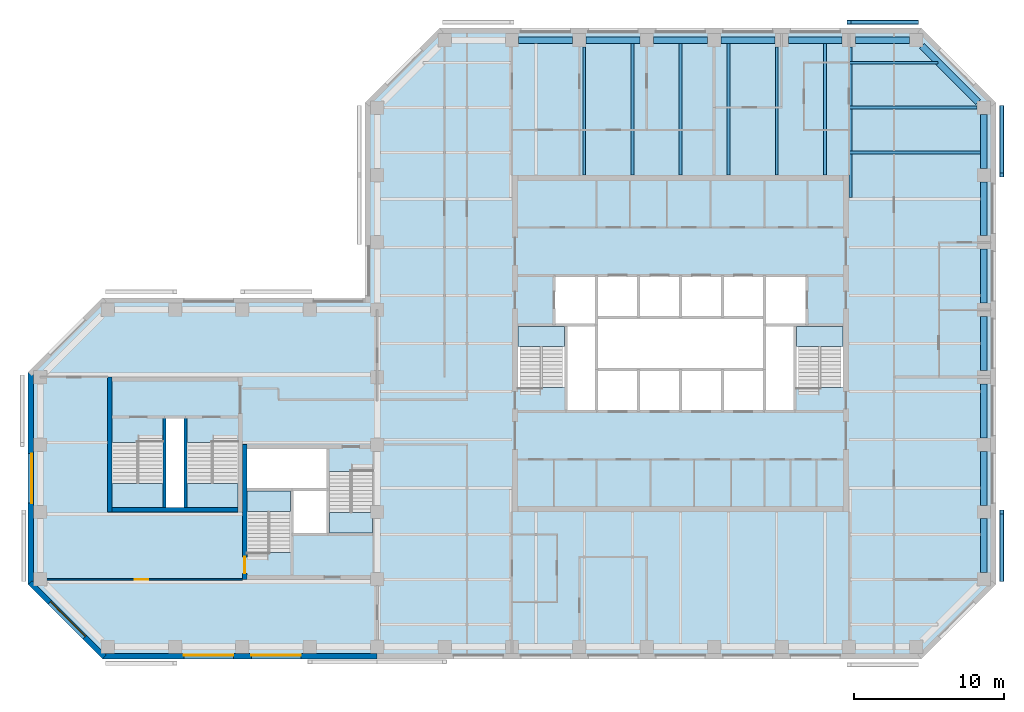
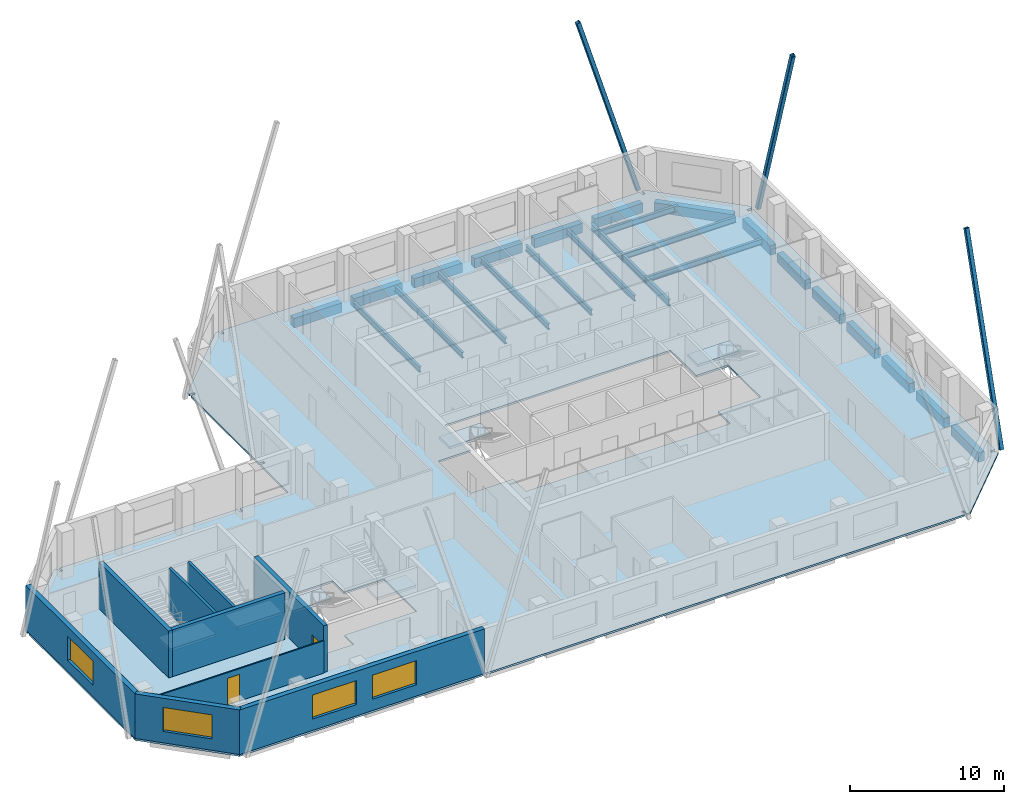
# One storey, part 2 of 9: 24 beams, 9 walls, 7 slabs, 4 windows, 3 members, 2 doors, 6 openings, 6 elements without a shape of their own.
"""IFC4 building model written with IfcOpenShell, lengths in metres."""

from ifc_helpers import new_model, si_unit, direction, frame, frame_2d, origin, origin_2d, place, context, subcontext, project, spatial, polyline, rectangle, hollow_rectangle, i_section, outline, extrude, material, layer, layer_set, constituent, constituent_set, material_profile, profile_set, type_object, element, fill, aggregate, save


model = new_model("IFC4")

# Units and contexts
model_context = context("Model", 3, precision=1e-05, world=origin(), true_north=direction((0.0, 1.0)))
body_context = subcontext(model_context, "Body", "Model", "MODEL_VIEW")
ifc_project = project(units=[si_unit("LENGTHUNIT", "METRE"), si_unit("AREAUNIT", "SQUARE_METRE"), si_unit("VOLUMEUNIT", "CUBIC_METRE"), si_unit("PLANEANGLEUNIT", "RADIAN"), si_unit("MASSUNIT", "GRAM", prefix="KILO")], contexts=[model_context])

# Site, building, storey
site_placement = place(None, origin())
site = spatial("IfcSite", under=ifc_project, at=site_placement, CompositionType="ELEMENT")
building_placement = place(site_placement, origin())
building = spatial("IfcBuilding", under=site, at=building_placement, Name="Quoin Convention Tower", CompositionType="ELEMENT")
storey_placement = place(building_placement, frame((0.0, 0.0, 158.800048828125)))
storey = spatial("IfcBuildingStorey", under=building, at=storey_placement, Name="L41", CompositionType="ELEMENT", Elevation=158.800048828125)

# Beams
ifc_material_1 = material(Name="Steel Grade 300", Category="steel")
ifc_material_profile_1 = material_profile(ifc_material_1, i_section(OverallWidth=0.18994140625, OverallDepth=0.4541015625, WebThickness=0.008544921875, FlangeThickness=0.0126953125, FilletRadius=0.011474609375, at=origin_2d()), Name="460UB67.1")
ifc_profile_set_1 = profile_set([ifc_material_profile_1], Name="Steel Grade 300")
beam_type_1 = type_object("IfcBeamType", Name="460UB67.1", PredefinedType="BEAM", material=ifc_profile_set_1)
beam_1_placement = place(storey_placement, frame((49.8212890625, 72.0, -0.376953125), z_axis=(0.0, 1.0, 0.0), x_axis=(-1.0, 0.0, 0.0)))
element("IfcBeam", 1, at=beam_1_placement, inside=storey, type_object=beam_type_1, Name="bm-L41-T1N1", PredefinedType="BEAM", context=body_context, shape_type="SweptSolid", body=[
    extrude(i_section(OverallWidth=0.18994140625, OverallDepth=0.4541015625, WebThickness=0.008544921875, FlangeThickness=0.0126953125, FilletRadius=0.011474609375, at=origin_2d()), origin(), (0.0, 0.0, 1.0), 8.550048828125),
])
for number, where, z_axis, x_axis, name in (
    (2, (53.03564453125, 72.0, -0.376953125), (0.0, 1.0, 0.0), (-1.0, 0.0, 0.0), "bm-L41-T1N2"),
    (3, (56.25, 72.0, -0.376953125), (0.0, 1.0, 0.0), (-1.0, 0.0, 0.0), "bm-L41-T1N3"),
    (4, (59.46435546875, 72.0, -0.376953125), (0.0, 1.0, 0.0), (-1.0, 0.0, 0.0), "bm-L41-T1N4"),
):
    element("IfcBeam", number, at=place(storey_placement, frame(where, z_axis=z_axis, x_axis=x_axis)), inside=storey, type_object=beam_type_1, Name=name, PredefinedType="BEAM", context=body_context, shape_type="SweptSolid", body=[
        extrude(i_section(OverallWidth=0.18994140625, OverallDepth=0.4541015625, WebThickness=0.008544921875, FlangeThickness=0.0126953125, FilletRadius=0.011474609375, at=origin_2d()), origin(), (0.0, 0.0, 1.0), 8.77490234375),
    ])
beam_2_placement = place(storey_placement, frame((62.6787109375, 72.0, -0.376953125), z_axis=(0.0, 1.0, 0.0), x_axis=(-1.0, 0.0, 0.0)))
element("IfcBeam", 5, at=beam_2_placement, inside=storey, type_object=beam_type_1, Name="bm-L41-T1N5", PredefinedType="BEAM", context=body_context, shape_type="SweptSolid", body=[
    extrude(i_section(OverallWidth=0.18994140625, OverallDepth=0.4541015625, WebThickness=0.008544921875, FlangeThickness=0.0126953125, FilletRadius=0.011474609375, at=origin_2d()), origin(), (0.0, 0.0, 1.0), 8.550048828125),
])
beam_3_placement = place(storey_placement, frame((65.892822265625, 72.0, -0.376953125), z_axis=(0.0, 1.0, 0.0), x_axis=(-1.0, 0.0, 0.0)))
element("IfcBeam", 6, at=beam_3_placement, inside=storey, type_object=beam_type_1, Name="bm-L41-T1N6", PredefinedType="BEAM", context=body_context, shape_type="SweptSolid", body=[
    extrude(i_section(OverallWidth=0.18994140625, OverallDepth=0.4541015625, WebThickness=0.008544921875, FlangeThickness=0.0126953125, FilletRadius=0.011474609375, at=origin_2d()), origin(), (0.0, 0.0, 1.0), 8.77490234375),
])
beam_4_placement = place(storey_placement, frame((67.5, 79.5, -0.376953125), z_axis=(1.0, 0.0, 0.0), x_axis=(0.0, 1.0, 0.0)))
element("IfcBeam", 7, at=beam_4_placement, inside=storey, type_object=beam_type_1, Name="bm-L41-T1NE0", PredefinedType="BEAM", context=body_context, shape_type="SweptSolid", body=[
    extrude(i_section(OverallWidth=0.18994140625, OverallDepth=0.4541015625, WebThickness=0.008544921875, FlangeThickness=0.0126953125, FilletRadius=0.011474609375, at=origin_2d()), origin(), (0.0, 0.0, 1.0), 5.935791015625),
])
beam_5_placement = place(storey_placement, frame((67.5, 76.5, -0.376953125), z_axis=(1.0, 0.0, 0.0), x_axis=(0.0, 1.0, 0.0)))
element("IfcBeam", 8, at=beam_5_placement, inside=storey, type_object=beam_type_1, Name="bm-L41-T1NE1", PredefinedType="BEAM", context=body_context, shape_type="SweptSolid", body=[
    extrude(i_section(OverallWidth=0.18994140625, OverallDepth=0.4541015625, WebThickness=0.008544921875, FlangeThickness=0.0126953125, FilletRadius=0.011474609375, at=origin_2d()), origin(), (0.0, 0.0, 1.0), 8.550048828125),
])
beam_6_placement = place(storey_placement, frame((67.5, 73.5, -0.376953125), z_axis=(1.0, 0.0, 0.0), x_axis=(0.0, 1.0, 0.0)))
element("IfcBeam", 9, at=beam_6_placement, inside=storey, type_object=beam_type_1, Name="bm-L41-T1NE2", PredefinedType="BEAM", context=body_context, shape_type="SweptSolid", body=[
    extrude(i_section(OverallWidth=0.18994140625, OverallDepth=0.4541015625, WebThickness=0.008544921875, FlangeThickness=0.0126953125, FilletRadius=0.011474609375, at=origin_2d()), origin(), (0.0, 0.0, 1.0), 8.77490234375),
])
ifc_material_profile_2 = material_profile(ifc_material_1, i_section(OverallWidth=0.208984375, OverallDepth=0.528076171875, WebThickness=0.009521484375, FlangeThickness=0.01318359375, FilletRadius=0.013916015625, at=origin_2d()), Name="530UB82.0")
ifc_profile_set_2 = profile_set([ifc_material_profile_2], Name="Steel Grade 300")
beam_type_2 = type_object("IfcBeamType", Name="530UB82.0", PredefinedType="BEAM", material=ifc_profile_set_2)
beam_7_placement = place(storey_placement, frame((67.595458984375, 80.550048828125, -0.4140625), z_axis=(0.0, -1.0, 0.0), x_axis=(1.0, 0.0, 0.0)))
element("IfcBeam", 10, at=beam_7_placement, inside=storey, type_object=beam_type_2, Name="gir-L41-T1NE", PredefinedType="BEAM", context=body_context, shape_type="SweptSolid", body=[
    extrude(i_section(OverallWidth=0.208984375, OverallDepth=0.528076171875, WebThickness=0.009521484375, FlangeThickness=0.01318359375, FilletRadius=0.013916015625, at=origin_2d()), origin(), (0.0, 0.0, 1.0), 10.062255859375),
])

# Members
ifc_material_2 = material(Name="Steel C450L0", Category="steel")
ifc_material_profile_3 = material_profile(ifc_material_2, hollow_rectangle(XDim=0.300048828125, YDim=0.300048828125, WallThickness=0.012451171875, InnerFilletRadius=0.018798828125, OuterFilletRadius=0.03125, at=origin_2d()), Name="300x300x12.5SHS")
ifc_profile_set_3 = profile_set([ifc_material_profile_3], Name="Steel C450L0")
member_type = type_object("IfcMemberType", Name="Exposed brace 300x300x12.5SHS", PredefinedType="BRACE", material=ifc_profile_set_3)
for number, where, z_axis, x_axis, name in (
    (11, (72.0, 82.199951171875, -0.074951171875), (-0.290907879885, 0.0, 0.956751067635), (0.0, -1.0, 0.0), "brc-L41-72000_81000-67500_81000"),
    (12, (77.699951171875, 45.0, -0.074951171875), (0.0, 0.290907879885, 0.956751067635), (-1.0, 0.0, 0.0), "brc-L41-76500_45000-76500_49500"),
    (13, (77.699951171875, 76.5, -0.074951171875), (0.0, -0.290907879885, 0.956751067635), (1.0, 0.0, 0.0), "brc-L41-76500_72000-76500_76500"),
):
    element("IfcMember", number, at=place(storey_placement, frame(where, z_axis=z_axis, x_axis=x_axis)), inside=storey, type_object=member_type, Name=name, PredefinedType="BRACE", context=body_context, shape_type="SweptSolid", body=[
        extrude(hollow_rectangle(XDim=0.300048828125, YDim=0.300048828125, WallThickness=0.012451171875, InnerFilletRadius=0.018798828125, OuterFilletRadius=0.03125, at=origin_2d()), origin(), (0.0, 0.0, 1.0), 15.46875),
    ])

# Beams
ifc_material_3 = material(Name="Concrete C50", Category="concrete")
ifc_material_profile_4 = material_profile(ifc_material_3, rectangle(XDim=0.449951171875, YDim=0.75, at=origin_2d()), Name="RC 450x750")
ifc_profile_set_4 = profile_set([ifc_material_profile_4], Name="Concrete C50")
beam_type_3 = type_object("IfcBeamType", Name="RC 450x750 C50", PredefinedType="SPANDREL", material=ifc_profile_set_4)
for number, where, z_axis, x_axis, name in (
    (14, (76.5, 45.449951171875, -0.525146484375), (0.0, 1.0, 0.0), (-1.0, 0.0, 0.0), "spd-L41-76500_45000-76500_49500"),
    (15, (76.5, 49.949951171875, -0.525146484375), (0.0, 1.0, 0.0), (-1.0, 0.0, 0.0), "spd-L41-76500_49500-76500_54000"),
    (16, (76.5, 54.449951171875, -0.525146484375), (0.0, 1.0, 0.0), (-1.0, 0.0, 0.0), "spd-L41-76500_54000-76500_58500"),
    (17, (76.5, 58.949951171875, -0.525146484375), (0.0, 1.0, 0.0), (-1.0, 0.0, 0.0), "spd-L41-76500_58500-76500_63000"),
    (18, (76.5, 63.449951171875, -0.525146484375), (0.0, 1.0, 0.0), (-1.0, 0.0, 0.0), "spd-L41-76500_63000-76500_67500"),
    (19, (76.5, 67.949951171875, -0.525146484375), (0.0, 1.0, 0.0), (-1.0, 0.0, 0.0), "spd-L41-76500_67500-76500_72000"),
    (20, (76.5, 72.449951171875, -0.525146484375), (0.0, 1.0, 0.0), (-1.0, 0.0, 0.0), "spd-L41-76500_72000-76500_76500"),
):
    element("IfcBeam", number, at=place(storey_placement, frame(where, z_axis=z_axis, x_axis=x_axis)), inside=storey, type_object=beam_type_3, Name=name, PredefinedType="SPANDREL", context=body_context, shape_type="SweptSolid", body=[
        extrude(rectangle(XDim=0.449951171875, YDim=0.75, at=origin_2d()), origin(), (0.0, 0.0, 1.0), 3.60009765625),
    ])
beam_8_placement = place(storey_placement, frame((76.135009765625, 76.864990234375, -0.525146484375), z_axis=(-0.707106781187, 0.707106781187, 0.0), x_axis=(-0.707106781187, -0.707106781187, 0.0)))
element("IfcBeam", 21, at=beam_8_placement, inside=storey, type_object=beam_type_3, Name="spd-L41-76500_76500-72000_81000", PredefinedType="SPANDREL", context=body_context, shape_type="SweptSolid", body=[
    extrude(rectangle(XDim=0.449951171875, YDim=0.75, at=origin_2d()), origin(), (0.0, 0.0, 1.0), 5.33154296875),
])
for number, where, z_axis, x_axis, name in (
    (22, (71.550048828125, 81.0, -0.525146484375), (-1.0, 0.0, 0.0), (0.0, -1.0, 0.0), "spd-L41-72000_81000-67500_81000"),
    (23, (67.050048828125, 81.0, -0.525146484375), (-1.0, 0.0, 0.0), (0.0, -1.0, 0.0), "spd-L41-67500_81000-63000_81000"),
    (24, (62.550048828125, 81.0, -0.525146484375), (-1.0, 0.0, 0.0), (0.0, -1.0, 0.0), "spd-L41-63000_81000-58500_81000"),
    (25, (58.050048828125, 81.0, -0.525146484375), (-1.0, 0.0, 0.0), (0.0, -1.0, 0.0), "spd-L41-58500_81000-54000_81000"),
    (26, (53.550048828125, 81.0, -0.525146484375), (-1.0, 0.0, 0.0), (0.0, -1.0, 0.0), "spd-L41-54000_81000-49500_81000"),
    (27, (49.050048828125, 81.0, -0.525146484375), (-1.0, 0.0, 0.0), (0.0, -1.0, 0.0), "spd-L41-49500_81000-45000_81000"),
):
    element("IfcBeam", number, at=place(storey_placement, frame(where, z_axis=z_axis, x_axis=x_axis)), inside=storey, type_object=beam_type_3, Name=name, PredefinedType="SPANDREL", context=body_context, shape_type="SweptSolid", body=[
        extrude(rectangle(XDim=0.449951171875, YDim=0.75, at=origin_2d()), origin(), (0.0, 0.0, 1.0), 3.60009765625),
    ])

# Slab
ifc_material_4 = material(Name="Concrete C40", Category="concrete")
ifc_layer_1 = layer(ifc_material_4, 0.14990234375)
ifc_layer_set_1 = layer_set([ifc_layer_1], Name="Concrete C40")
slab_type_1 = type_object("IfcSlabType", Name="COMPOSITE SLAB 150 C40", PredefinedType="FLOOR", material=ifc_layer_set_1)
slab_1_placement = place(storey_placement, frame((0.0, 0.0, -0.150146484375)))
element("IfcSlab", 28, at=slab_1_placement, inside=storey, type_object=slab_type_1, Name="slb-L41", PredefinedType="FLOOR", context=body_context, shape_type="SweptSolid", body=[
    extrude(outline(polyline([(12.699951171875, 44.668701171875), (12.699951171875, 44.905029296875), (13.070068359375, 44.905029296875), (13.070068359375, 45.094970703125), (12.699951171875, 45.094970703125), (12.699951171875, 58.405029296875), (13.070068359375, 58.405029296875), (13.070068359375, 58.594970703125), (12.699951171875, 58.594970703125), (12.699951171875, 58.831298828125), (17.668701171875, 63.800048828125), (17.905029296875, 63.800048828125), (17.905029296875, 63.429931640625), (18.094970703125, 63.429931640625), (18.094970703125, 63.800048828125), (31.405029296875, 63.800048828125), (31.405029296875, 63.429931640625), (31.594970703125, 63.429931640625), (31.594970703125, 63.800048828125), (35.199951171875, 63.800048828125), (35.199951171875, 67.405029296875), (35.570068359375, 67.405029296875), (35.570068359375, 67.594970703125), (35.199951171875, 67.594970703125), (35.199951171875, 76.405029296875), (35.570068359375, 76.405029296875), (35.570068359375, 76.594970703125), (35.199951171875, 76.594970703125), (35.199951171875, 76.831298828125), (40.168701171875, 81.800048828125), (40.405029296875, 81.800048828125), (40.405029296875, 81.429931640625), (40.594970703125, 81.429931640625), (40.594970703125, 81.800048828125), (71.905029296875, 81.800048828125), (71.905029296875, 81.429931640625), (72.094970703125, 81.429931640625), (72.094970703125, 81.800048828125), (72.331298828125, 81.800048828125), (77.300048828125, 76.831298828125), (77.300048828125, 76.594970703125), (76.929931640625, 76.594970703125), (76.929931640625, 76.405029296875), (77.300048828125, 76.405029296875), (77.300048828125, 45.094970703125), (76.929931640625, 45.094970703125), (76.929931640625, 44.905029296875), (77.300048828125, 44.905029296875), (77.300048828125, 44.668701171875), (72.331298828125, 39.699951171875), (72.094970703125, 39.699951171875), (72.094970703125, 40.070068359375), (71.905029296875, 40.070068359375), (71.905029296875, 39.699951171875), (36.094970703125, 39.699951171875), (36.094970703125, 40.070068359375), (35.905029296875, 40.070068359375), (35.905029296875, 39.699951171875), (18.094970703125, 39.699951171875), (18.094970703125, 40.070068359375), (17.905029296875, 40.070068359375), (17.905029296875, 39.699951171875), (17.668701171875, 39.699951171875), (12.699951171875, 44.668701171875)]), holes=[polyline([(27.300048828125, 46.800537109375), (30.300048828125, 46.800537109375), (30.300048828125, 48.0), (32.699951171875, 48.0), (35.699951171875, 48.0), (35.699951171875, 52.199462890625), (32.699951171875, 52.199462890625), (32.699951171875, 53.699951171875), (27.300048828125, 53.699951171875), (27.300048828125, 51.0), (27.300048828125, 46.800537109375)]), polyline([(21.800048828125, 49.800048828125), (23.199951171875, 49.800048828125), (26.699951171875, 49.800048828125), (26.699951171875, 54.1494140625), (23.199951171875, 54.1494140625), (23.199951171875, 55.85009765625), (21.800048828125, 55.85009765625), (21.800048828125, 54.1494140625), (18.300048828125, 54.1494140625), (18.300048828125, 49.800048828125), (21.800048828125, 49.800048828125)]), polyline([(50.64990234375, 56.199951171875), (53.449951171875, 56.199951171875), (56.25, 56.199951171875), (59.050048828125, 56.199951171875), (61.85009765625, 56.199951171875), (63.89990234375, 56.199951171875), (63.89990234375, 57.800537109375), (67.10009765625, 57.800537109375), (67.10009765625, 62.0), (64.699951171875, 62.0), (64.699951171875, 65.300048828125), (61.85009765625, 65.300048828125), (59.050048828125, 65.300048828125), (56.25, 65.300048828125), (53.449951171875, 65.300048828125), (50.64990234375, 65.300048828125), (47.800048828125, 65.300048828125), (47.800048828125, 62.0), (45.39990234375, 62.0), (45.39990234375, 57.800537109375), (48.60009765625, 57.800537109375), (48.60009765625, 56.199951171875), (50.64990234375, 56.199951171875)])]), origin(), (0.0, 0.0, 1.0), 0.150146484375),
])

# Stair, slab
stair_type_1 = type_object("IfcStairType", Name="Exit stair two-flight 1350", PredefinedType="HALF_TURN_STAIR", material=ifc_material_4)
stair_1_placement = place(storey_placement, origin())
stair_1 = element("IfcStair", 29, at=stair_1_placement, inside=storey, type_object=stair_type_1, Name="SD1 L41", PredefinedType="HALF_TURN_STAIR")
ifc_layer_2 = layer(ifc_material_4, 0.199951171875)
ifc_layer_set_2 = layer_set([ifc_layer_2], Name="Concrete C40")
slab_type_2 = type_object("IfcSlabType", Name="Stair landing 200", PredefinedType="LANDING", material=ifc_layer_set_2)
slab_2_placement = place(storey_placement, frame((0.0, 0.0, 1.792236328125)))
slab_2 = element("IfcSlab", 30, at=slab_2_placement, type_object=slab_type_2, Name="ST1 landing 1", PredefinedType="LANDING", context=body_context, shape_type="SweptSolid", body=[
    extrude(outline(polyline([(45.39990234375, 60.550048828125), (48.5, 60.550048828125), (48.5, 61.89990234375), (45.39990234375, 61.89990234375), (45.39990234375, 60.550048828125)])), origin(), (0.0, 0.0, 1.0), 0.199951171875),
])
aggregate(stair_1, [slab_2])

stair_2_placement = place(storey_placement, origin())
stair_2 = element("IfcStair", 31, at=stair_2_placement, inside=storey, type_object=stair_type_1, Name="SD2 L41", PredefinedType="HALF_TURN_STAIR")
slab_3_placement = place(storey_placement, frame((0.0, 0.0, 1.792236328125)))
slab_3 = element("IfcSlab", 32, at=slab_3_placement, type_object=slab_type_2, Name="ST2 landing 1", PredefinedType="LANDING", context=body_context, shape_type="SweptSolid", body=[
    extrude(outline(polyline([(64.0, 60.550048828125), (67.10009765625, 60.550048828125), (67.10009765625, 61.89990234375), (64.0, 61.89990234375), (64.0, 60.550048828125)])), origin(), (0.0, 0.0, 1.0), 0.199951171875),
])
aggregate(stair_2, [slab_3])

stair_3_placement = place(storey_placement, origin())
stair_3 = element("IfcStair", 33, at=stair_3_placement, inside=storey, type_object=stair_type_1, Name="SD3 L41", PredefinedType="HALF_TURN_STAIR")
slab_4_placement = place(storey_placement, frame((0.0, 0.0, 1.792236328125)))
slab_4 = element("IfcSlab", 34, at=slab_4_placement, type_object=slab_type_2, Name="ST3 landing 1", PredefinedType="LANDING", context=body_context, shape_type="SweptSolid", body=[
    extrude(outline(polyline([(27.300048828125, 49.550048828125), (30.199951171875, 49.550048828125), (30.199951171875, 50.89990234375), (27.300048828125, 50.89990234375), (27.300048828125, 49.550048828125)])), origin(), (0.0, 0.0, 1.0), 0.199951171875),
])
aggregate(stair_3, [slab_4])

stair_4_placement = place(storey_placement, origin())
stair_4 = element("IfcStair", 35, at=stair_4_placement, inside=storey, type_object=stair_type_1, Name="SD4 L41", PredefinedType="HALF_TURN_STAIR")
slab_5_placement = place(storey_placement, frame((0.0, 0.0, 1.792236328125)))
slab_5 = element("IfcSlab", 36, at=slab_5_placement, type_object=slab_type_2, Name="ST4 landing 1", PredefinedType="LANDING", context=body_context, shape_type="SweptSolid", body=[
    extrude(outline(polyline([(35.699951171875, 49.449951171875), (32.800048828125, 49.449951171875), (32.800048828125, 48.10009765625), (35.699951171875, 48.10009765625), (35.699951171875, 49.449951171875)])), origin(), (0.0, 0.0, 1.0), 0.199951171875),
])
aggregate(stair_4, [slab_5])

stair_type_2 = type_object("IfcStairType", Name="Exit stair two-flight 1600", PredefinedType="HALF_TURN_STAIR", material=ifc_material_4)
stair_5_placement = place(storey_placement, origin())
stair_5 = element("IfcStair", 37, at=stair_5_placement, inside=storey, type_object=stair_type_2, Name="SD11 L41", PredefinedType="HALF_TURN_STAIR")
slab_6_placement = place(storey_placement, frame((0.0, 0.0, 1.792236328125)))
slab_6 = element("IfcSlab", 38, at=slab_6_placement, type_object=slab_type_2, Name="ST11 landing 1", PredefinedType="LANDING", context=body_context, shape_type="SweptSolid", body=[
    extrude(outline(polyline([(21.699951171875, 51.39990234375), (18.300048828125, 51.39990234375), (18.300048828125, 49.800048828125), (21.699951171875, 49.800048828125), (21.699951171875, 51.39990234375)])), origin(), (0.0, 0.0, 1.0), 0.199951171875),
])
aggregate(stair_5, [slab_6])

stair_6_placement = place(storey_placement, origin())
stair_6 = element("IfcStair", 39, at=stair_6_placement, inside=storey, type_object=stair_type_2, Name="SD12 L41", PredefinedType="HALF_TURN_STAIR")
slab_7_placement = place(storey_placement, frame((0.0, 0.0, 1.792236328125)))
slab_7 = element("IfcSlab", 40, at=slab_7_placement, type_object=slab_type_2, Name="ST12 landing 1", PredefinedType="LANDING", context=body_context, shape_type="SweptSolid", body=[
    extrude(outline(polyline([(26.699951171875, 51.39990234375), (23.300048828125, 51.39990234375), (23.300048828125, 49.800048828125), (26.699951171875, 49.800048828125), (26.699951171875, 51.39990234375)])), origin(), (0.0, 0.0, 1.0), 0.199951171875),
])
aggregate(stair_6, [slab_7])

# Wall, opening, window
ifc_material_5 = material(Name="Brick masonry", Category="masonry")
ifc_layer_3 = layer(ifc_material_5, 0.35009765625)
ifc_layer_set_3 = layer_set([ifc_layer_3], Name="Brick masonry")
wall_type_1 = type_object("IfcWallType", Name="Brick facade wall", PredefinedType="STANDARD", material=ifc_layer_set_3)
wall_1_placement = place(storey_placement, frame((12.875, 58.831298828125, 0.0), z_axis=(0.0, 0.0, 1.0), x_axis=(0.0, -1.0, 0.0)))
wall_1 = element("IfcWall", 41, at=wall_1_placement, inside=storey, type_object=wall_type_1, Name="fw-L41-13500_58500", PredefinedType="STANDARD", context=body_context, shape_type="SweptSolid", body=[
    extrude(rectangle(XDim=14.16259765625, YDim=0.35009765625, at=frame_2d((7.081298828125, 0.0))), origin(), (0.0, 0.0, 1.0), 3.52490234375),
])
opening_1_placement = place(wall_1_placement, frame((5.431396484375, 0.0, 0.89990234375)))
opening_1 = element("IfcOpeningElement", 42, at=opening_1_placement, cuts=wall_1, Name="Opening W-02", PredefinedType="OPENING", context=body_context, shape_type="SweptSolid", body=[
    extrude(rectangle(XDim=3.300048828125, YDim=1.89990234375, at=frame_2d((1.64990234375, 0.949951171875))), frame((0.0, 0.18505859375, 0.0), z_axis=(0.0, -1.0, 0.0), x_axis=(1.0, 0.0, 0.0)), (0.0, 0.0, 1.0), 0.3701171875),
])
ifc_material_6 = material(Name="Aluminium", Category="aluminium")
ifc_constituent_1 = constituent(ifc_material_6, Name="Frame")
ifc_material_7 = material(Name="Insulated glass", Category="glass")
ifc_constituent_2 = constituent(ifc_material_7, Name="Glazing")
ifc_constituent_set = constituent_set(constituents=[ifc_constituent_1, ifc_constituent_2], Name="Aluminium")
window_type = type_object("IfcWindowType", Name="Office window", PartitioningType="DOUBLE_PANEL_VERTICAL", PredefinedType="WINDOW", material=ifc_constituent_set)
window_1_placement = place(opening_1_placement, origin())
window_1 = element("IfcWindow", 43, at=window_1_placement, inside=storey, type_object=window_type, Name="win-L41-12875_51750", OverallHeight=1.89990234375, OverallWidth=3.300048828125, PartitioningType="SINGLE_PANEL", PredefinedType="WINDOW", context=body_context, shape_type="SweptSolid", body=[
    extrude(rectangle(XDim=3.300048828125, YDim=1.89990234375, at=frame_2d((1.64990234375, 0.949951171875))), frame((0.0, 0.0849609375, 0.0), z_axis=(0.0, -1.0, 0.0), x_axis=(1.0, 0.0, 0.0)), (0.0, 0.0, 1.0), 0.06005859375),
])
fill(opening_1, window_1)

wall_2_placement = place(storey_placement, frame((12.82373046875, 44.79248046875, 0.0), z_axis=(0.0, 0.0, 1.0), x_axis=(0.707106781187, -0.707106781187, 0.0)))
wall_2 = element("IfcWall", 44, at=wall_2_placement, inside=storey, type_object=wall_type_1, Name="fw-L41-13500_45000", PredefinedType="STANDARD", context=body_context, shape_type="SweptSolid", body=[
    extrude(rectangle(XDim=7.02685546875, YDim=0.35009765625, at=frame_2d((3.513427734375, 0.0))), origin(), (0.0, 0.0, 1.0), 3.52490234375),
])
opening_2_placement = place(wall_2_placement, frame((1.86328125, 0.0, 0.89990234375)))
opening_2 = element("IfcOpeningElement", 45, at=opening_2_placement, cuts=wall_2, Name="Opening W-02", PredefinedType="OPENING", context=body_context, shape_type="SweptSolid", body=[
    extrude(rectangle(XDim=3.300048828125, YDim=1.89990234375, at=frame_2d((1.64990234375, 0.949951171875))), frame((0.0, 0.18505859375, 0.0), z_axis=(0.0, -1.0, 0.0), x_axis=(1.0, 0.0, 0.0)), (0.0, 0.0, 1.0), 0.3701171875),
])
window_2_placement = place(opening_2_placement, origin())
window_2 = element("IfcWindow", 46, at=window_2_placement, inside=storey, type_object=window_type, Name="win-L41-15308_42308", OverallHeight=1.89990234375, OverallWidth=3.300048828125, PartitioningType="SINGLE_PANEL", PredefinedType="WINDOW", context=body_context, shape_type="SweptSolid", body=[
    extrude(rectangle(XDim=3.300048828125, YDim=1.89990234375, at=frame_2d((1.64990234375, 0.949951171875))), frame((0.0, 0.0849609375, 0.0), z_axis=(0.0, -1.0, 0.0), x_axis=(1.0, 0.0, 0.0)), (0.0, 0.0, 1.0), 0.06005859375),
])
fill(opening_2, window_2)

# Wall, openings, windows
wall_3_placement = place(storey_placement, frame((17.668701171875, 39.875, 0.0), z_axis=(0.0, 0.0, 1.0), x_axis=(1.0, 0.0, 0.0)))
wall_3 = element("IfcWall", 47, at=wall_3_placement, inside=storey, type_object=wall_type_1, Name="fw-L41-18000_40500", PredefinedType="STANDARD", context=body_context, shape_type="SweptSolid", body=[
    extrude(rectangle(XDim=18.331298828125, YDim=0.35009765625, at=frame_2d((9.16552734375, 0.0))), origin(), (0.0, 0.0, 1.0), 3.52490234375),
])
opening_3_placement = place(wall_3_placement, frame((5.431396484375, 0.0, 0.89990234375)))
opening_3 = element("IfcOpeningElement", 48, at=opening_3_placement, cuts=wall_3, Name="Opening W-02", PredefinedType="OPENING", context=body_context, shape_type="SweptSolid", body=[
    extrude(rectangle(XDim=3.300048828125, YDim=1.89990234375, at=frame_2d((1.64990234375, 0.949951171875))), frame((0.0, 0.18505859375, 0.0), z_axis=(0.0, -1.0, 0.0), x_axis=(1.0, 0.0, 0.0)), (0.0, 0.0, 1.0), 0.3701171875),
])
opening_4_placement = place(wall_3_placement, frame((9.931396484375, 0.0, 0.89990234375)))
opening_4 = element("IfcOpeningElement", 49, at=opening_4_placement, cuts=wall_3, Name="Opening W-02", PredefinedType="OPENING", context=body_context, shape_type="SweptSolid", body=[
    extrude(rectangle(XDim=3.300048828125, YDim=1.89990234375, at=frame_2d((1.64990234375, 0.949951171875))), frame((0.0, 0.18505859375, 0.0), z_axis=(0.0, -1.0, 0.0), x_axis=(1.0, 0.0, 0.0)), (0.0, 0.0, 1.0), 0.3701171875),
])
window_3_placement = place(opening_3_placement, origin())
window_3 = element("IfcWindow", 50, at=window_3_placement, inside=storey, type_object=window_type, Name="win-L41-24750_39875", OverallHeight=1.89990234375, OverallWidth=3.300048828125, PartitioningType="SINGLE_PANEL", PredefinedType="WINDOW", context=body_context, shape_type="SweptSolid", body=[
    extrude(rectangle(XDim=3.300048828125, YDim=1.89990234375, at=frame_2d((1.64990234375, 0.949951171875))), frame((0.0, 0.0849609375, 0.0), z_axis=(0.0, -1.0, 0.0), x_axis=(1.0, 0.0, 0.0)), (0.0, 0.0, 1.0), 0.06005859375),
])
fill(opening_3, window_3)
window_4_placement = place(opening_4_placement, origin())
window_4 = element("IfcWindow", 51, at=window_4_placement, inside=storey, type_object=window_type, Name="win-L41-29250_39875", OverallHeight=1.89990234375, OverallWidth=3.300048828125, PartitioningType="SINGLE_PANEL", PredefinedType="WINDOW", context=body_context, shape_type="SweptSolid", body=[
    extrude(rectangle(XDim=3.300048828125, YDim=1.89990234375, at=frame_2d((1.64990234375, 0.949951171875))), frame((0.0, 0.0849609375, 0.0), z_axis=(0.0, -1.0, 0.0), x_axis=(1.0, 0.0, 0.0)), (0.0, 0.0, 1.0), 0.06005859375),
])
fill(opening_4, window_4)

# Walls
ifc_layer_4 = layer(ifc_material_3, 0.199951171875)
ifc_layer_set_4 = layer_set([ifc_layer_4], Name="Concrete C50")
wall_type_2 = type_object("IfcWallType", Name="Core shaft wall", PredefinedType="SOLIDWALL", material=ifc_layer_set_4)
for number, where, z_axis, x_axis, name in (
    (52, (21.800048828125, 49.800048828125, 0.0), (0.0, 0.0, 1.0), (0.0, 1.0, 0.0), "cr-P6-L41-v3800_300"),
    (53, (23.199951171875, 49.800048828125, 0.0), (0.0, 0.0, 1.0), (0.0, 1.0, 0.0), "cr-P6-L41-v5200_300"),
):
    element("IfcWall", number, at=place(storey_placement, frame(where, z_axis=z_axis, x_axis=x_axis)), inside=storey, type_object=wall_type_2, Name=name, PredefinedType="SOLIDWALL", context=body_context, shape_type="SweptSolid", body=[
        extrude(rectangle(XDim=6.050048828125, YDim=0.199951171875, at=frame_2d((3.02490234375, 0.0))), origin(), (0.0, 0.0, 1.0), 3.550048828125),
    ])

# Wall, opening, door
ifc_layer_5 = layer(ifc_material_3, 0.300048828125)
ifc_layer_set_5 = layer_set([ifc_layer_5], Name="Concrete C50")
wall_type_3 = type_object("IfcWallType", Name="RC CORE WALL 300 C50", PredefinedType="SHEAR", material=ifc_layer_set_5)
wall_4_placement = place(storey_placement, frame((27.14990234375, 45.0, 0.0), z_axis=(0.0, 0.0, 1.0), x_axis=(0.0, 1.0, 0.0)))
wall_4 = element("IfcWall", 54, at=wall_4_placement, inside=storey, type_object=wall_type_3, Name="cwl-P2-L41-W", PredefinedType="SHEAR", context=body_context, shape_type="SweptSolid", body=[
    extrude(rectangle(XDim=9.0, YDim=0.300048828125, at=frame_2d((4.5, 0.0))), origin(), (0.0, 0.0, 1.0), 3.699951171875),
])
opening_5_placement = place(wall_4_placement, frame((0.39990234375, 0.0, 0.0)))
opening_5 = element("IfcOpeningElement", 55, at=opening_5_placement, cuts=wall_4, Name="Opening SD3", PredefinedType="OPENING", context=body_context, shape_type="SweptSolid", body=[
    extrude(rectangle(XDim=1.10009765625, YDim=2.10009765625, at=frame_2d((0.550048828125, 1.050048828125))), frame((0.0, 0.159912109375, 0.0), z_axis=(0.0, -1.0, 0.0), x_axis=(1.0, 0.0, 0.0)), (0.0, 0.0, 1.0), 0.320068359375),
])
ifc_material_8 = material(Name="Steel door leaf", Category="steel")
door_type_1 = type_object("IfcDoorType", Name="Stair door 1100 x 2100", OperationType="SINGLE_SWING_RIGHT", PredefinedType="DOOR", material=ifc_material_8)
door_1_placement = place(opening_5_placement, frame((1.10009765625, 0.0, 0.0), z_axis=(0.0, 0.0, 1.0), x_axis=(-1.0, 0.0, 0.0)))
door_1 = element("IfcDoor", 56, at=door_1_placement, inside=storey, type_object=door_type_1, Name="cd-P2-L41-SA-W", OperationType="SINGLE_SWING_RIGHT", OverallHeight=2.10009765625, OverallWidth=1.10009765625, PredefinedType="DOOR", context=body_context, shape_type="SweptSolid", body=[
    extrude(rectangle(XDim=1.10009765625, YDim=2.10009765625, at=frame_2d((0.550048828125, 1.050048828125))), frame((0.0, 0.02490234375, 0.0), z_axis=(0.0, -1.0, 0.0), x_axis=(1.0, 0.0, 0.0)), (0.0, 0.0, 1.0), 0.050048828125),
])
fill(opening_5, door_1)

# Walls
wall_5_placement = place(storey_placement, frame((18.300048828125, 49.64990234375, 0.0), z_axis=(0.0, 0.0, 1.0), x_axis=(1.0, 0.0, 0.0)))
element("IfcWall", 57, at=wall_5_placement, inside=storey, type_object=wall_type_3, Name="cwl-P6-L41-S", PredefinedType="SHEAR", context=body_context, shape_type="SweptSolid", body=[
    extrude(rectangle(XDim=8.39990234375, YDim=0.300048828125, at=frame_2d((4.199951171875, 0.0))), origin(), (0.0, 0.0, 1.0), 3.699951171875),
])
wall_6_placement = place(storey_placement, frame((18.14990234375, 49.5, 0.0), z_axis=(0.0, 0.0, 1.0), x_axis=(0.0, 1.0, 0.0)))
element("IfcWall", 58, at=wall_6_placement, inside=storey, type_object=wall_type_3, Name="cwl-P6-L41-W", PredefinedType="SHEAR", context=body_context, shape_type="SweptSolid", body=[
    extrude(rectangle(XDim=9.0, YDim=0.300048828125, at=frame_2d((4.5, 0.0))), origin(), (0.0, 0.0, 1.0), 3.699951171875),
])

# Wall, opening, door
ifc_material_9 = material(Name="Plasterboard")
ifc_layer_6 = layer(ifc_material_9, 0.012451171875, Name="Finish")
ifc_material_10 = material(Name="Steel stud framing", Category="steel")
ifc_layer_7 = layer(ifc_material_10, 0.074951171875, Name="Structure")
ifc_layer_8 = layer(ifc_material_9, 0.012451171875, Name="Finish")
ifc_layer_set_6 = layer_set([ifc_layer_6, ifc_layer_7, ifc_layer_8], Name="Steel stud framing")
wall_type_4 = type_object("IfcWallType", Name="Stud partition 100 under beam 1000", PredefinedType="PARTITIONING", material=ifc_layer_set_6)
wall_7_placement = place(storey_placement, frame((13.5, 45.0, 0.0), z_axis=(0.0, 0.0, 1.0), x_axis=(1.0, 0.0, 0.0)))
wall_7 = element("IfcWall", 59, at=wall_7_placement, inside=storey, type_object=wall_type_4, Name="pw-L41-w04", PredefinedType="PARTITIONING", context=body_context, shape_type="SweptSolid", body=[
    extrude(rectangle(XDim=13.5, YDim=0.10009765625, at=frame_2d((6.75, 0.0))), origin(), (0.0, 0.0, 1.0), 2.550048828125),
])
opening_6_placement = place(wall_7_placement, frame((6.300048828125, 0.0, 0.0)))
opening_6 = element("IfcOpeningElement", 60, at=opening_6_placement, cuts=wall_7, Name="Opening DOH2-22", PredefinedType="OPENING", context=body_context, shape_type="SweptSolid", body=[
    extrude(rectangle(XDim=0.89990234375, YDim=2.10009765625, at=frame_2d((0.449951171875, 1.050048828125))), frame((0.0, 0.06005859375, 0.0), z_axis=(0.0, -1.0, 0.0), x_axis=(1.0, 0.0, 0.0)), (0.0, 0.0, 1.0), 0.1201171875),
])
door_type_2 = type_object("IfcDoorType", Name="Office door 900 x 2100", OperationType="SINGLE_SWING_RIGHT", PredefinedType="DOOR", material=ifc_material_8)
door_2_placement = place(opening_6_placement, origin())
door_2 = element("IfcDoor", 61, at=door_2_placement, inside=storey, type_object=door_type_2, Name="dr-L41-w05", OperationType="SINGLE_SWING_RIGHT", OverallHeight=2.10009765625, OverallWidth=0.89990234375, PredefinedType="DOOR", context=body_context, shape_type="SweptSolid", body=[
    extrude(rectangle(XDim=0.89990234375, YDim=2.10009765625, at=frame_2d((0.449951171875, 1.050048828125))), frame((0.0, 0.02490234375, 0.0), z_axis=(0.0, -1.0, 0.0), x_axis=(1.0, 0.0, 0.0)), (0.0, 0.0, 1.0), 0.050048828125),
])
fill(opening_6, door_2)

save(model, "model.ifc")
